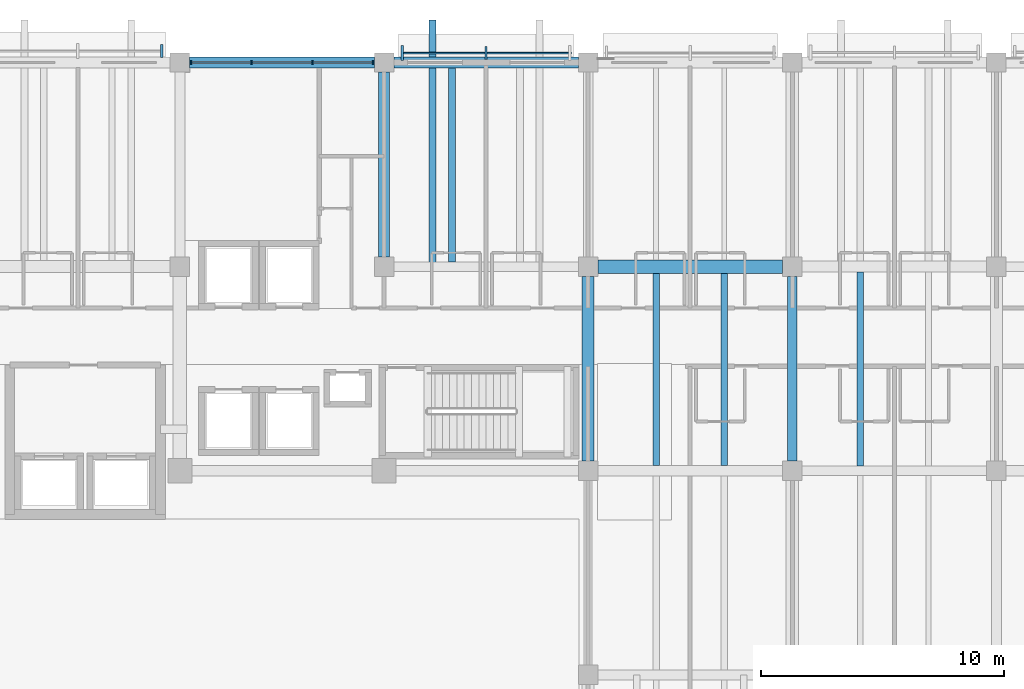
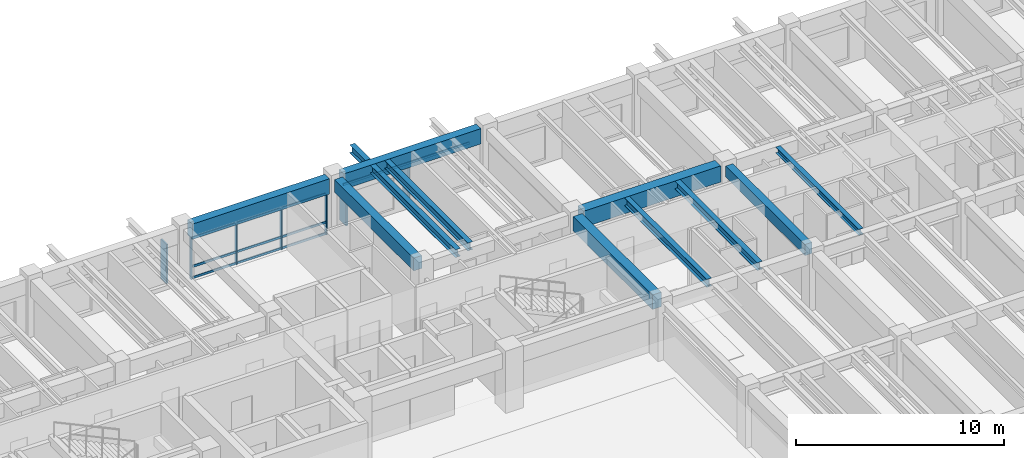
# One storey, part 32 of 118: 17 members, 11 beams, 3 elements without a shape of their own.
"""IFC4 building model written with IfcOpenShell, lengths in metres."""

from ifc_helpers import new_model, si_unit, direction, frame, origin, origin_2d, place, context, subcontext, project, spatial, rectangle, i_section, extrude, material, material_profile, profile_set, type_object, element, aggregate, save


model = new_model("IFC4")

# Units and contexts
model_context = context("Model", 3, precision=1e-05, world=origin(), true_north=direction((0.0, 1.0)))
body_context = subcontext(model_context, "Body", "Model", "MODEL_VIEW")
ifc_project = project(units=[si_unit("LENGTHUNIT", "METRE"), si_unit("AREAUNIT", "SQUARE_METRE"), si_unit("VOLUMEUNIT", "CUBIC_METRE"), si_unit("PLANEANGLEUNIT", "RADIAN"), si_unit("MASSUNIT", "GRAM", prefix="KILO")], contexts=[model_context])

# Site, building, storey
site_placement = place(None, origin())
site = spatial("IfcSite", under=ifc_project, at=site_placement, CompositionType="ELEMENT")
building_placement = place(site_placement, origin())
building = spatial("IfcBuilding", under=site, at=building_placement, Name="Cumbredor Promenade Congress Hotel", CompositionType="ELEMENT")
storey_placement = place(building_placement, frame((0.0, 0.0, 3.919921875)))
storey = spatial("IfcBuildingStorey", under=building, at=storey_placement, Name="L01", CompositionType="ELEMENT", Elevation=3.919921875)

# Beams
ifc_material_1 = material(Name="Concrete C40/50", Category="concrete")
ifc_material_profile_1 = material_profile(ifc_material_1, rectangle(XDim=0.39990234375, YDim=0.64990234375, at=origin_2d()), Name="RC BEAM 400x650")
ifc_profile_set_1 = profile_set([ifc_material_profile_1], Name="Concrete C40/50")
beam_type_1 = type_object("IfcBeamType", Name="BM-RC-400x650", PredefinedType="BEAM", material=ifc_profile_set_1)
beam_1_placement = place(storey_placement, frame((58.800048828125, 101.199951171875, 3.03515625), z_axis=(0.0, 1.0, 0.0), x_axis=(-1.0, 0.0, 0.0)))
element("IfcBeam", 1, at=beam_1_placement, inside=storey, type_object=beam_type_1, Name="L02 Y-Grid Beam 109", PredefinedType="BEAM", context=body_context, shape_type="SweptSolid", body=[
    extrude(rectangle(XDim=0.39990234375, YDim=0.64990234375, at=origin_2d()), origin(), (0.0, 0.0, 1.0), 7.60009765625),
])
ifc_material_profile_2 = material_profile(ifc_material_1, rectangle(XDim=0.449951171875, YDim=0.75, at=origin_2d()), Name="RC BEAM 450x750")
ifc_profile_set_2 = profile_set([ifc_material_profile_2], Name="Concrete C40/50")
beam_type_2 = type_object("IfcBeamType", Name="BM-RC-450x750", PredefinedType="BEAM", material=ifc_profile_set_2)
beam_2_placement = place(storey_placement, frame((42.0, 109.60009765625, 2.985107421875), z_axis=(0.0, 1.0, 0.0), x_axis=(-1.0, 0.0, 0.0)))
element("IfcBeam", 2, at=beam_2_placement, inside=storey, type_object=beam_type_2, Name="L02 Y-Grid Beam 074", PredefinedType="BEAM", context=body_context, shape_type="SweptSolid", body=[
    extrude(rectangle(XDim=0.449951171875, YDim=0.75, at=origin_2d()), origin(), (0.0, 0.0, 1.0), 7.599853515625),
])
ifc_material_profile_3 = material_profile(ifc_material_1, rectangle(XDim=0.5, YDim=0.85009765625, at=origin_2d()), Name="RC BEAM 500x850")
ifc_profile_set_3 = profile_set([ifc_material_profile_3], Name="Concrete C40/50")
beam_type_3 = type_object("IfcBeamType", Name="BM-RC-500x850", PredefinedType="BEAM", material=ifc_profile_set_3)
beam_3_placement = place(storey_placement, frame((50.39990234375, 101.199951171875, 2.93505859375), z_axis=(0.0, 1.0, 0.0), x_axis=(-1.0, 0.0, 0.0)))
element("IfcBeam", 3, at=beam_3_placement, inside=storey, type_object=beam_type_3, Name="L02 Y-Grid Beam 087", PredefinedType="BEAM", context=body_context, shape_type="SweptSolid", body=[
    extrude(rectangle(XDim=0.5, YDim=0.85009765625, at=origin_2d()), origin(), (0.0, 0.0, 1.0), 7.60009765625),
])
ifc_material_profile_4 = material_profile(ifc_material_1, rectangle(XDim=0.550048828125, YDim=0.949951171875, at=origin_2d()), Name="RC BEAM 550x950")
ifc_profile_set_4 = profile_set([ifc_material_profile_4], Name="Concrete C40/50")
beam_type_4 = type_object("IfcBeamType", Name="BM-RC-550x950", PredefinedType="BEAM", material=ifc_profile_set_4)
beam_4_placement = place(storey_placement, frame((50.800048828125, 109.199951171875, 2.885009765625), z_axis=(1.0, 0.0, 0.0), x_axis=(0.0, 1.0, 0.0)))
element("IfcBeam", 4, at=beam_4_placement, inside=storey, type_object=beam_type_4, Name="L02 X-Grid Beam 088", PredefinedType="BEAM", context=body_context, shape_type="SweptSolid", body=[
    extrude(rectangle(XDim=0.550048828125, YDim=0.949951171875, at=origin_2d()), origin(), (0.0, 0.0, 1.0), 7.599853515625),
])

# Curtain wall, members
ifc_material_2 = material(Name="Thermally broken anodized aluminium and low-E glass", Category="aluminium")
curtain_wall_type_1 = type_object("IfcCurtainWallType", Name="Unitised Bronze Curtain Wall CW-01", PredefinedType="NOTDEFINED", material=ifc_material_2)
curtain_wall_1_placement = place(storey_placement, origin())
curtain_wall_1 = element("IfcCurtainWall", 5, at=curtain_wall_1_placement, inside=storey, type_object=curtain_wall_type_1, Name="L01 Stepped Congress Hotel Wing North Curtain Wall 5", PredefinedType="NOTDEFINED")
ifc_material_3 = material(Name="Thermally broken anodized aluminium", Category="aluminium")
ifc_material_profile_5 = material_profile(ifc_material_3, rectangle(XDim=0.06494140625, YDim=0.159912109375, at=origin_2d()), Name="ALU MULLION 65x160")
ifc_profile_set_5 = profile_set([ifc_material_profile_5], Name="Thermally broken anodized aluminium")
member_type_1 = type_object("IfcMemberType", Name="Curtain Wall Mullion ML-01", PredefinedType="MULLION", material=ifc_profile_set_5)
member_1_placement = place(storey_placement, frame((34.054931640625, 117.60009765625, -0.0078125), z_axis=(0.0, 0.0, 1.0), x_axis=(1.0, 0.0, 0.0)))
member_1 = element("IfcMember", 6, at=member_1_placement, type_object=member_type_1, Name="L01 Stepped Congress Hotel Wing North Curtain Wall 5 Mullion 1", PredefinedType="MULLION", context=body_context, shape_type="SweptSolid", body=[
    extrude(rectangle(XDim=0.06494140625, YDim=0.159912109375, at=origin_2d()), origin(), (0.0, 0.0, 1.0), 2.4609375),
])
member_2_placement = place(storey_placement, frame((36.5517578125, 117.60009765625, -0.0078125), z_axis=(0.0, 0.0, 1.0), x_axis=(1.0, 0.0, 0.0)))
member_2 = element("IfcMember", 7, at=member_2_placement, type_object=member_type_1, Name="L01 Stepped Congress Hotel Wing North Curtain Wall 5 Mullion 2", PredefinedType="MULLION", context=body_context, shape_type="SweptSolid", body=[
    extrude(rectangle(XDim=0.06494140625, YDim=0.159912109375, at=origin_2d()), origin(), (0.0, 0.0, 1.0), 2.4609375),
])
member_3_placement = place(storey_placement, frame((39.04833984375, 117.60009765625, -0.0078125), z_axis=(0.0, 0.0, 1.0), x_axis=(1.0, 0.0, 0.0)))
member_3 = element("IfcMember", 8, at=member_3_placement, type_object=member_type_1, Name="L01 Stepped Congress Hotel Wing North Curtain Wall 5 Mullion 3", PredefinedType="MULLION", context=body_context, shape_type="SweptSolid", body=[
    extrude(rectangle(XDim=0.06494140625, YDim=0.159912109375, at=origin_2d()), origin(), (0.0, 0.0, 1.0), 2.4609375),
])
member_4_placement = place(storey_placement, frame((41.544921875, 117.60009765625, -0.0078125), z_axis=(0.0, 0.0, 1.0), x_axis=(1.0, 0.0, 0.0)))
member_4 = element("IfcMember", 9, at=member_4_placement, type_object=member_type_1, Name="L01 Stepped Congress Hotel Wing North Curtain Wall 5 Mullion 4", PredefinedType="MULLION", context=body_context, shape_type="SweptSolid", body=[
    extrude(rectangle(XDim=0.06494140625, YDim=0.159912109375, at=origin_2d()), origin(), (0.0, 0.0, 1.0), 2.4609375),
])
ifc_material_profile_6 = material_profile(ifc_material_3, rectangle(XDim=0.06494140625, YDim=0.1298828125, at=origin_2d()), Name="ALU TRANSOM 65x130")
ifc_profile_set_6 = profile_set([ifc_material_profile_6], Name="Thermally broken anodized aluminium")
member_type_2 = type_object("IfcMemberType", Name="Curtain Wall Transom TR-01", PredefinedType="USERDEFINED", material=ifc_profile_set_6)
member_5_placement = place(storey_placement, frame((34.08740234375, 117.60009765625, 0.06005859375), z_axis=(1.0, 0.0, 0.0), x_axis=(0.0, 1.0, 0.0)))
member_5 = element("IfcMember", 10, at=member_5_placement, type_object=member_type_2, Name="L01 Stepped Congress Hotel Wing North Curtain Wall 5 Transom 1.1", ObjectType="TRANSOM", PredefinedType="USERDEFINED", context=body_context, shape_type="SweptSolid", body=[
    extrude(rectangle(XDim=0.06494140625, YDim=0.1298828125, at=origin_2d()), origin(), (0.0, 0.0, 1.0), 2.431884765625),
])
member_6_placement = place(storey_placement, frame((34.08740234375, 117.60009765625, 0.719970703125), z_axis=(1.0, 0.0, 0.0), x_axis=(0.0, 1.0, 0.0)))
member_6 = element("IfcMember", 11, at=member_6_placement, type_object=member_type_2, Name="L01 Stepped Congress Hotel Wing North Curtain Wall 5 Transom 1.2", ObjectType="TRANSOM", PredefinedType="USERDEFINED", context=body_context, shape_type="SweptSolid", body=[
    extrude(rectangle(XDim=0.06494140625, YDim=0.1298828125, at=origin_2d()), origin(), (0.0, 0.0, 1.0), 2.431884765625),
])
member_7_placement = place(storey_placement, frame((34.08740234375, 117.60009765625, 2.380126953125), z_axis=(1.0, 0.0, 0.0), x_axis=(0.0, 1.0, 0.0)))
member_7 = element("IfcMember", 12, at=member_7_placement, type_object=member_type_2, Name="L01 Stepped Congress Hotel Wing North Curtain Wall 5 Transom 1.3", ObjectType="TRANSOM", PredefinedType="USERDEFINED", context=body_context, shape_type="SweptSolid", body=[
    extrude(rectangle(XDim=0.06494140625, YDim=0.1298828125, at=origin_2d()), origin(), (0.0, 0.0, 1.0), 2.431884765625),
])
member_8_placement = place(storey_placement, frame((36.584228515625, 117.60009765625, 0.06005859375), z_axis=(1.0, 0.0, 0.0), x_axis=(0.0, 1.0, 0.0)))
member_8 = element("IfcMember", 13, at=member_8_placement, type_object=member_type_2, Name="L01 Stepped Congress Hotel Wing North Curtain Wall 5 Transom 2.1", ObjectType="TRANSOM", PredefinedType="USERDEFINED", context=body_context, shape_type="SweptSolid", body=[
    extrude(rectangle(XDim=0.06494140625, YDim=0.1298828125, at=origin_2d()), origin(), (0.0, 0.0, 1.0), 2.431640625),
])
member_9_placement = place(storey_placement, frame((36.584228515625, 117.60009765625, 0.719970703125), z_axis=(1.0, 0.0, 0.0), x_axis=(0.0, 1.0, 0.0)))
member_9 = element("IfcMember", 14, at=member_9_placement, type_object=member_type_2, Name="L01 Stepped Congress Hotel Wing North Curtain Wall 5 Transom 2.2", ObjectType="TRANSOM", PredefinedType="USERDEFINED", context=body_context, shape_type="SweptSolid", body=[
    extrude(rectangle(XDim=0.06494140625, YDim=0.1298828125, at=origin_2d()), origin(), (0.0, 0.0, 1.0), 2.431640625),
])
member_10_placement = place(storey_placement, frame((36.584228515625, 117.60009765625, 2.380126953125), z_axis=(1.0, 0.0, 0.0), x_axis=(0.0, 1.0, 0.0)))
member_10 = element("IfcMember", 15, at=member_10_placement, type_object=member_type_2, Name="L01 Stepped Congress Hotel Wing North Curtain Wall 5 Transom 2.3", ObjectType="TRANSOM", PredefinedType="USERDEFINED", context=body_context, shape_type="SweptSolid", body=[
    extrude(rectangle(XDim=0.06494140625, YDim=0.1298828125, at=origin_2d()), origin(), (0.0, 0.0, 1.0), 2.431640625),
])
member_11_placement = place(storey_placement, frame((39.080810546875, 117.60009765625, 0.06005859375), z_axis=(1.0, 0.0, 0.0), x_axis=(0.0, 1.0, 0.0)))
member_11 = element("IfcMember", 16, at=member_11_placement, type_object=member_type_2, Name="L01 Stepped Congress Hotel Wing North Curtain Wall 5 Transom 3.1", ObjectType="TRANSOM", PredefinedType="USERDEFINED", context=body_context, shape_type="SweptSolid", body=[
    extrude(rectangle(XDim=0.06494140625, YDim=0.1298828125, at=origin_2d()), origin(), (0.0, 0.0, 1.0), 2.431640625),
])
member_12_placement = place(storey_placement, frame((39.080810546875, 117.60009765625, 0.719970703125), z_axis=(1.0, 0.0, 0.0), x_axis=(0.0, 1.0, 0.0)))
member_12 = element("IfcMember", 17, at=member_12_placement, type_object=member_type_2, Name="L01 Stepped Congress Hotel Wing North Curtain Wall 5 Transom 3.2", ObjectType="TRANSOM", PredefinedType="USERDEFINED", context=body_context, shape_type="SweptSolid", body=[
    extrude(rectangle(XDim=0.06494140625, YDim=0.1298828125, at=origin_2d()), origin(), (0.0, 0.0, 1.0), 2.431640625),
])
member_13_placement = place(storey_placement, frame((39.080810546875, 117.60009765625, 2.380126953125), z_axis=(1.0, 0.0, 0.0), x_axis=(0.0, 1.0, 0.0)))
member_13 = element("IfcMember", 18, at=member_13_placement, type_object=member_type_2, Name="L01 Stepped Congress Hotel Wing North Curtain Wall 5 Transom 3.3", ObjectType="TRANSOM", PredefinedType="USERDEFINED", context=body_context, shape_type="SweptSolid", body=[
    extrude(rectangle(XDim=0.06494140625, YDim=0.1298828125, at=origin_2d()), origin(), (0.0, 0.0, 1.0), 2.431640625),
])
aggregate(curtain_wall_1, [member_1, member_2, member_3, member_4, member_5, member_6, member_7, member_8, member_9, member_10, member_11, member_12, member_13])

# Curtain wall, member
curtain_wall_type_2 = type_object("IfcCurtainWallType", Name="Solar Brise-Soleil Screen Assembly CW-07", PredefinedType="NOTDEFINED", material=ifc_material_2)
curtain_wall_2_placement = place(storey_placement, origin())
curtain_wall_2 = element("IfcCurtainWall", 19, at=curtain_wall_2_placement, inside=storey, type_object=curtain_wall_type_2, Name="L01 Hospitality Brise-Soleil Screen 025", PredefinedType="NOTDEFINED")
member_14_placement = place(storey_placement, frame((42.700927734375, 117.989990234375, 2.26513671875), z_axis=(1.0, 0.0, 0.0), x_axis=(0.0, 1.0, 0.0)))
member_14 = element("IfcMember", 20, at=member_14_placement, type_object=member_type_2, Name="L01 Brise-Soleil Screen Transom 025", ObjectType="TRANSOM", PredefinedType="USERDEFINED", context=body_context, shape_type="SweptSolid", body=[
    extrude(rectangle(XDim=0.06494140625, YDim=0.1298828125, at=origin_2d()), origin(), (0.0, 0.0, 1.0), 6.998046875),
])

# Beams
ifc_material_4 = material(Name="Steel ASTM A992 Grade 50", Category="steel")
ifc_material_profile_7 = material_profile(ifc_material_4, i_section(OverallWidth=0.2548828125, OverallDepth=0.35693359375, WebThickness=0.010498046875, FlangeThickness=0.018310546875, at=origin_2d()), Name="W14X68")
ifc_profile_set_7 = profile_set([ifc_material_profile_7], Name="Steel ASTM A992 Grade 50")
beam_type_5 = type_object("IfcBeamType", Name="JST-W14X68", PredefinedType="JOIST", material=ifc_profile_set_7)
beam_5_placement = place(storey_placement, frame((61.60009765625, 101.0, 3.181640625), z_axis=(0.0, 1.0, 0.0), x_axis=(-1.0, 0.0, 0.0)))
element("IfcBeam", 21, at=beam_5_placement, inside=storey, type_object=beam_type_5, Name="L02 Secondary Floor Joist 0058", PredefinedType="JOIST", context=body_context, shape_type="SweptSolid", body=[
    extrude(i_section(OverallWidth=0.2548828125, OverallDepth=0.35693359375, WebThickness=0.010498046875, FlangeThickness=0.018310546875, at=origin_2d()), origin(), (0.0, 0.0, 1.0), 7.97509765625),
])
ifc_material_profile_8 = material_profile(ifc_material_4, i_section(OverallWidth=0.280029296875, OverallDepth=0.462890625, WebThickness=0.0107421875, FlangeThickness=0.017333984375, at=origin_2d()), Name="W18X76")
ifc_profile_set_8 = profile_set([ifc_material_profile_8], Name="Steel ASTM A992 Grade 50")
beam_type_6 = type_object("IfcBeamType", Name="JST-W18X76", PredefinedType="JOIST", material=ifc_profile_set_8)
beam_6_placement = place(storey_placement, frame((44.0, 109.199951171875, 3.128662109375), z_axis=(0.0, 1.0, 0.0), x_axis=(-1.0, 0.0, 0.0)))
element("IfcBeam", 22, at=beam_6_placement, inside=storey, type_object=beam_type_6, Name="L02 Balcony Back-Spanned Outrigger Beam 006.1", PredefinedType="JOIST", context=body_context, shape_type="SweptSolid", body=[
    extrude(i_section(OverallWidth=0.280029296875, OverallDepth=0.462890625, WebThickness=0.0107421875, FlangeThickness=0.017333984375, at=origin_2d()), origin(), (0.0, 0.0, 1.0), 10.150146484375),
])
beam_7_placement = place(storey_placement, frame((44.800048828125, 109.39990234375, 3.128662109375), z_axis=(0.0, 1.0, 0.0), x_axis=(-1.0, 0.0, 0.0)))
element("IfcBeam", 23, at=beam_7_placement, inside=storey, type_object=beam_type_6, Name="L02 Secondary Floor Joist 0030", PredefinedType="JOIST", context=body_context, shape_type="SweptSolid", body=[
    extrude(i_section(OverallWidth=0.280029296875, OverallDepth=0.462890625, WebThickness=0.0107421875, FlangeThickness=0.017333984375, at=origin_2d()), origin(), (0.0, 0.0, 1.0), 7.97509765625),
])
for number, where, z_axis, x_axis, name in (
    (24, (53.199951171875, 101.02490234375, 3.128662109375), (0.0, 1.0, 0.0), (-1.0, 0.0, 0.0), "L02 Secondary Floor Joist 0040"),
    (25, (56.0, 101.02490234375, 3.128662109375), (0.0, 1.0, 0.0), (-1.0, 0.0, 0.0), "L02 Secondary Floor Joist 0041"),
):
    element("IfcBeam", number, at=place(storey_placement, frame(where, z_axis=z_axis, x_axis=x_axis)), inside=storey, type_object=beam_type_6, Name=name, PredefinedType="JOIST", context=body_context, shape_type="SweptSolid", body=[
        extrude(i_section(OverallWidth=0.280029296875, OverallDepth=0.462890625, WebThickness=0.0107421875, FlangeThickness=0.017333984375, at=origin_2d()), origin(), (0.0, 0.0, 1.0), 7.900146484375),
    ])
ifc_material_profile_9 = material_profile(ifc_material_1, rectangle(XDim=0.449951171875, YDim=0.89990234375, at=origin_2d()), Name="RC SPANDREL 450x900")
ifc_profile_set_9 = profile_set([ifc_material_profile_9], Name="Concrete C40/50")
beam_type_7 = type_object("IfcBeamType", Name="SP-RC-450x900", PredefinedType="SPANDREL", material=ifc_profile_set_9)
for number, where, z_axis, x_axis, name in (
    (26, (34.0, 117.60009765625, 2.91015625), (1.0, 0.0, 0.0), (0.0, 1.0, 0.0), "L02 X-Grid Beam 066"),
    (27, (42.39990234375, 117.60009765625, 2.91015625), (1.0, 0.0, 0.0), (0.0, 1.0, 0.0), "L02 X-Grid Beam 075"),
):
    element("IfcBeam", number, at=place(storey_placement, frame(where, z_axis=z_axis, x_axis=x_axis)), inside=storey, type_object=beam_type_7, Name=name, PredefinedType="SPANDREL", context=body_context, shape_type="SweptSolid", body=[
        extrude(rectangle(XDim=0.449951171875, YDim=0.89990234375, at=origin_2d()), origin(), (0.0, 0.0, 1.0), 7.60009765625),
    ])

# Member
ifc_material_profile_10 = material_profile(ifc_material_3, rectangle(XDim=0.110107421875, YDim=0.6201171875, at=origin_2d()), Name="ARCH FIN 110x620")
ifc_profile_set_10 = profile_set([ifc_material_profile_10], Name="Thermally broken anodized aluminium")
member_type_3 = type_object("IfcMemberType", Name="Vertical Bronze Brise-Soleil Fin BSF-02 110x620", PredefinedType="USERDEFINED", material=ifc_profile_set_10)
member_15_placement = place(storey_placement, frame((42.7509765625, 117.989990234375, 0.02001953125), z_axis=(0.0, 0.0, 1.0), x_axis=(1.0, 0.0, 0.0)))
member_15 = element("IfcMember", 28, at=member_15_placement, type_object=member_type_3, Name="L01 Vertical Brise-Soleil Fin 0316", ObjectType="SOLAR FIN", PredefinedType="USERDEFINED", context=body_context, shape_type="SweptSolid", body=[
    extrude(rectangle(XDim=0.110107421875, YDim=0.6201171875, at=origin_2d()), origin(), (0.0, 0.0, 1.0), 2.30517578125),
])

# Curtain wall, member
curtain_wall_3_placement = place(storey_placement, origin())
curtain_wall_3 = element("IfcCurtainWall", 29, at=curtain_wall_3_placement, inside=storey, type_object=curtain_wall_type_2, Name="L01 Hospitality Brise-Soleil Screen 024", PredefinedType="NOTDEFINED")
ifc_material_5 = material(Name="Kiln-dried tropical hardwood", Category="wood")
ifc_material_profile_11 = material_profile(ifc_material_5, rectangle(XDim=0.090087890625, YDim=0.550048828125, at=origin_2d()), Name="ARCH FIN 90x550")
ifc_profile_set_11 = profile_set([ifc_material_profile_11], Name="Kiln-dried tropical hardwood")
member_type_4 = type_object("IfcMemberType", Name="Vertical Hardwood Brise-Soleil Fin BSF-01 90x550", PredefinedType="USERDEFINED", material=ifc_profile_set_11)
member_16_placement = place(storey_placement, frame((32.84912109375, 118.072509765625, 0.02001953125), z_axis=(0.0, 0.0, 1.0), x_axis=(1.0, 0.0, 0.0)))
member_16 = element("IfcMember", 30, at=member_16_placement, type_object=member_type_4, Name="L01 Vertical Brise-Soleil Fin 0315", ObjectType="SOLAR FIN", PredefinedType="USERDEFINED", context=body_context, shape_type="SweptSolid", body=[
    extrude(rectangle(XDim=0.090087890625, YDim=0.550048828125, at=origin_2d()), origin(), (0.0, 0.0, 1.0), 2.30517578125),
])
aggregate(curtain_wall_3, [member_16])

# Member
member_17_placement = place(storey_placement, frame((46.199951171875, 117.989990234375, 0.02001953125), z_axis=(0.0, 0.0, 1.0), x_axis=(1.0, 0.0, 0.0)))
member_17 = element("IfcMember", 31, at=member_17_placement, type_object=member_type_4, Name="L01 Vertical Brise-Soleil Fin 0317", ObjectType="SOLAR FIN", PredefinedType="USERDEFINED", context=body_context, shape_type="SweptSolid", body=[
    extrude(rectangle(XDim=0.090087890625, YDim=0.550048828125, at=origin_2d()), origin(), (0.0, 0.0, 1.0), 2.30517578125),
])

aggregate(curtain_wall_2, [member_14, member_15, member_17])

save(model, "model.ifc")
